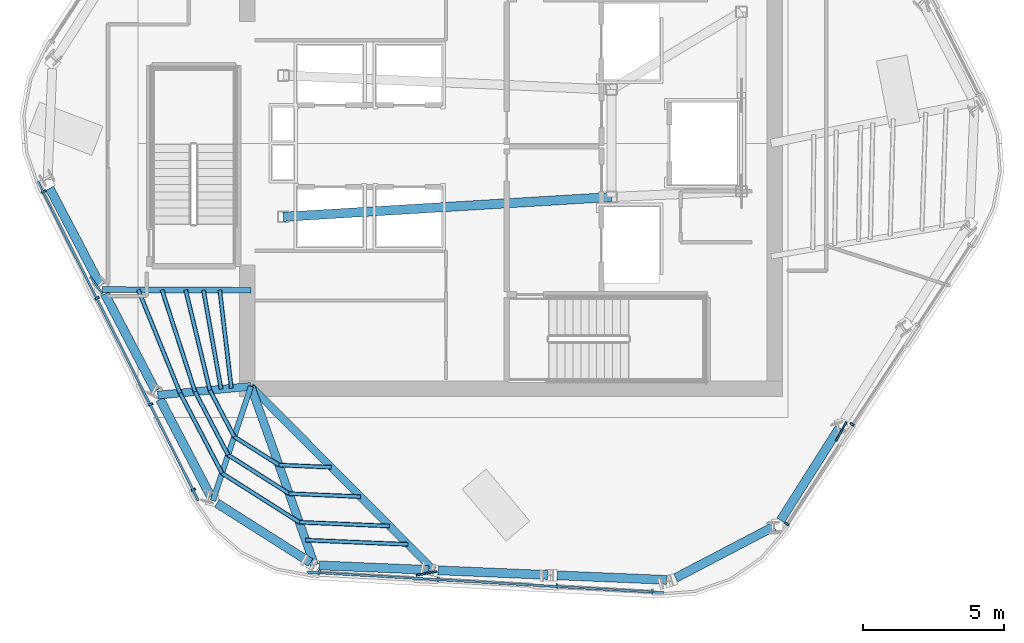
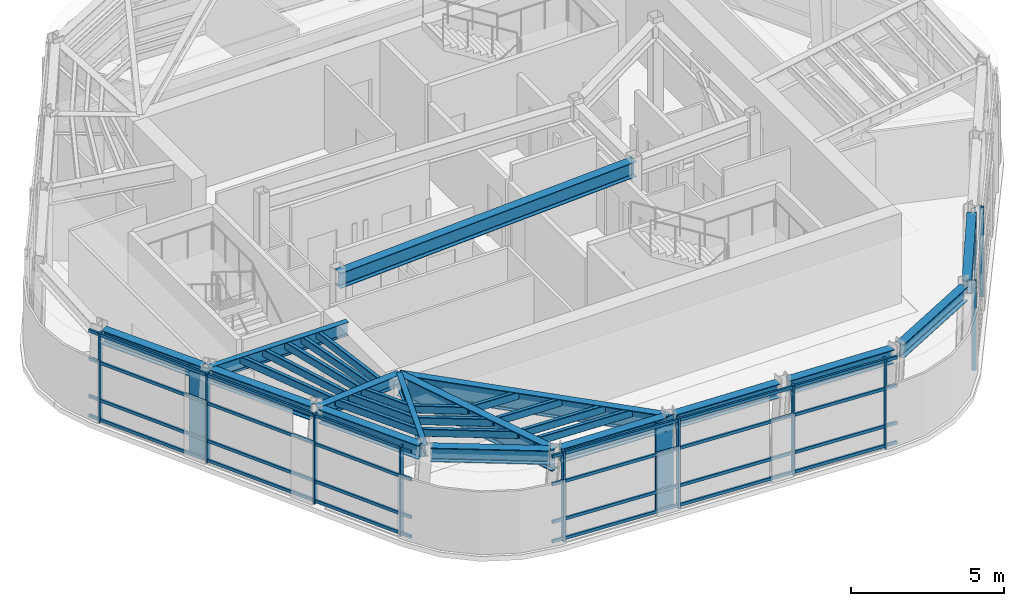
# One storey, part 2 of 13: 36 members, 15 beams, 3 elements without a shape of their own.
"""IFC4 building model written with IfcOpenShell, lengths in metres."""

from ifc_helpers import new_model, si_unit, direction, frame, origin, origin_2d, place, context, subcontext, project, spatial, rectangle, hollow_rectangle, i_section, extrude, material, layer, layer_set, material_profile, profile_set, type_object, element, aggregate, save


model = new_model("IFC4")

# Units and contexts
model_context = context("Model", 3, precision=1e-05, world=origin(), true_north=direction((0.0, 1.0)))
body_context = subcontext(model_context, "Body", "Model", "MODEL_VIEW")
ifc_project = project(units=[si_unit("LENGTHUNIT", "METRE"), si_unit("AREAUNIT", "SQUARE_METRE"), si_unit("VOLUMEUNIT", "CUBIC_METRE"), si_unit("PLANEANGLEUNIT", "RADIAN"), si_unit("MASSUNIT", "GRAM", prefix="KILO")], contexts=[model_context])

# Site, building, storey
site_placement = place(None, origin())
site = spatial("IfcSite", under=ifc_project, at=site_placement, CompositionType="ELEMENT")
building_placement = place(site_placement, origin())
building = spatial("IfcBuilding", under=site, at=building_placement, Name="Valkerne Bourse Tower", CompositionType="ELEMENT")
storey_placement = place(building_placement, frame((0.0, 0.0, 269.800048828125)))
storey = spatial("IfcBuildingStorey", under=building, at=storey_placement, Name="L68", CompositionType="ELEMENT", Elevation=269.800048828125)

# Beams
ifc_material_1 = material(Name="Steel ASTM A992", Category="steel")
ifc_material_profile_1 = material_profile(ifc_material_1, i_section(OverallWidth=0.1904296875, OverallDepth=0.457275390625, WebThickness=0.009033203125, FlangeThickness=0.014404296875, FilletRadius=0.01513671875, at=origin_2d()), Name="W18X50")
ifc_profile_set_1 = profile_set([ifc_material_profile_1], Name="Steel ASTM A992")
beam_type_1 = type_object("IfcBeamType", Name="BM-W18X50", PredefinedType="JOIST", material=ifc_profile_set_1)
beam_1_placement = place(storey_placement, frame((36.2578125, 14.359375, 3.371337890625), z_axis=(0.315264263651, 0.949003922049, 0.0), x_axis=(-0.949003922049, 0.315264263651, 0.0)))
element("IfcBeam", 1, at=beam_1_placement, inside=storey, type_object=beam_type_1, Name="L68 Radial Composite Floor Beam 11", PredefinedType="JOIST", context=body_context, shape_type="SweptSolid", body=[
    extrude(i_section(OverallWidth=0.1904296875, OverallDepth=0.457275390625, WebThickness=0.009033203125, FlangeThickness=0.014404296875, FilletRadius=0.01513671875, at=origin_2d()), origin(), (0.0, 0.0, 1.0), 4.257568359375),
])
ifc_material_profile_2 = material_profile(ifc_material_1, i_section(OverallWidth=0.279296875, OverallDepth=0.46240234375, WebThickness=0.0107421875, FlangeThickness=0.017333984375, FilletRadius=0.017822265625, at=origin_2d()), Name="W18X76")
ifc_profile_set_2 = profile_set([ifc_material_profile_2], Name="Steel ASTM A992")
beam_type_2 = type_object("IfcBeamType", Name="BM-W18X76", PredefinedType="BEAM", material=ifc_profile_set_2)
beam_2_placement = place(storey_placement, frame((34.306396484375, 18.092041015625, 3.36865234375), z_axis=(0.995660121854, 0.093064073357, 0.0), x_axis=(-0.093064073357, 0.995660121854, 0.0)))
element("IfcBeam", 2, at=beam_2_placement, inside=storey, type_object=beam_type_2, Name="L68 Radial Composite Floor Beam 10", PredefinedType="BEAM", context=body_context, shape_type="SweptSolid", body=[
    extrude(i_section(OverallWidth=0.279296875, OverallDepth=0.46240234375, WebThickness=0.0107421875, FlangeThickness=0.017333984375, FilletRadius=0.017822265625, at=origin_2d()), origin(), (0.0, 0.0, 1.0), 3.30810546875),
])
ifc_material_profile_3 = material_profile(ifc_material_1, i_section(OverallWidth=0.31494140625, OverallDepth=0.5537109375, WebThickness=0.0166015625, FlangeThickness=0.026123046875, FilletRadius=0.020263671875, at=origin_2d()), Name="W21X132")
ifc_profile_set_3 = profile_set([ifc_material_profile_3], Name="Steel ASTM A992")
beam_type_3 = type_object("IfcBeamType", Name="BM-W21X132", PredefinedType="BEAM", material=ifc_profile_set_3)
for number, where, z_axis, x_axis, name in (
    (3, (30.482421875, 25.40673828125, 3.322998046875), (0.463332995113, -0.886184256032, 0.0), (0.886184256032, 0.463332995113, 0.0), "L68 Hexagonal Spandrel Ring Beam 08"),
    (4, (32.433837890625, 21.674072265625, 3.322998046875), (0.463332995113, -0.886184256032, 0.0), (0.886184256032, 0.463332995113, 0.0), "L68 Hexagonal Spandrel Ring Beam 09"),
):
    element("IfcBeam", number, at=place(storey_placement, frame(where, z_axis=z_axis, x_axis=x_axis)), inside=storey, type_object=beam_type_3, Name=name, PredefinedType="BEAM", context=body_context, shape_type="SweptSolid", body=[
        extrude(i_section(OverallWidth=0.31494140625, OverallDepth=0.5537109375, WebThickness=0.0166015625, FlangeThickness=0.026123046875, FilletRadius=0.020263671875, at=origin_2d()), origin(), (0.0, 0.0, 1.0), 3.871826171875),
    ])
beam_3_placement = place(storey_placement, frame((34.38525390625, 17.94140625, 3.322998046875), z_axis=(0.463307105809, -0.886197791527, 0.0), x_axis=(0.886197791527, 0.463307105809, 0.0)))
element("IfcBeam", 5, at=beam_3_placement, inside=storey, type_object=beam_type_3, Name="L68 Hexagonal Spandrel Ring Beam 10", PredefinedType="BEAM", context=body_context, shape_type="SweptSolid", body=[
    extrude(i_section(OverallWidth=0.31494140625, OverallDepth=0.5537109375, WebThickness=0.0166015625, FlangeThickness=0.026123046875, FilletRadius=0.020263671875, at=origin_2d()), origin(), (0.0, 0.0, 1.0), 3.8720703125),
])
beam_4_placement = place(storey_placement, frame((36.4013671875, 14.268310546875, 3.322998046875), z_axis=(0.844356542503, -0.535781699138, 0.0), x_axis=(0.535781699138, 0.844356542503, 0.0)))
element("IfcBeam", 6, at=beam_4_placement, inside=storey, type_object=beam_type_3, Name="L68 Hexagonal Spandrel Ring Beam 11", PredefinedType="BEAM", context=body_context, shape_type="SweptSolid", body=[
    extrude(i_section(OverallWidth=0.31494140625, OverallDepth=0.5537109375, WebThickness=0.0166015625, FlangeThickness=0.026123046875, FilletRadius=0.020263671875, at=origin_2d()), origin(), (0.0, 0.0, 1.0), 3.91552734375),
])
beam_5_placement = place(storey_placement, frame((40.02099609375, 12.072021484375, 3.322998046875), z_axis=(0.99912309987, -0.041869216681, 0.0), x_axis=(0.041869216681, 0.99912309987, 0.0)))
element("IfcBeam", 7, at=beam_5_placement, inside=storey, type_object=beam_type_3, Name="L68 Hexagonal Spandrel Ring Beam 12", PredefinedType="BEAM", context=body_context, shape_type="SweptSolid", body=[
    extrude(i_section(OverallWidth=0.31494140625, OverallDepth=0.5537109375, WebThickness=0.0166015625, FlangeThickness=0.026123046875, FilletRadius=0.020263671875, at=origin_2d()), origin(), (0.0, 0.0, 1.0), 3.871826171875),
])
for number, where, z_axis, x_axis, name in (
    (8, (44.229248046875, 11.895751953125, 3.322998046875), (0.999120570963, -0.041929520364, 0.0), (0.041929520364, 0.999120570963, 0.0), "L68 Hexagonal Spandrel Ring Beam 13"),
    (9, (48.4375, 11.71923828125, 3.322998046875), (0.999123210399, -0.041866579055, 0.0), (0.041866579055, 0.999123210399, 0.0), "L68 Hexagonal Spandrel Ring Beam 14"),
):
    element("IfcBeam", number, at=place(storey_placement, frame(where, z_axis=z_axis, x_axis=x_axis)), inside=storey, type_object=beam_type_3, Name=name, PredefinedType="BEAM", context=body_context, shape_type="SweptSolid", body=[
        extrude(i_section(OverallWidth=0.31494140625, OverallDepth=0.5537109375, WebThickness=0.0166015625, FlangeThickness=0.026123046875, FilletRadius=0.020263671875, at=origin_2d()), origin(), (0.0, 0.0, 1.0), 3.8720703125),
    ])
beam_6_placement = place(storey_placement, frame((52.626708984375, 11.62890625, 3.322998046875), z_axis=(0.886213226144, 0.463277581809, 0.0), x_axis=(-0.463277581809, 0.886213226144, 0.0)))
element("IfcBeam", 10, at=beam_6_placement, inside=storey, type_object=beam_type_3, Name="L68 Hexagonal Spandrel Ring Beam 15", PredefinedType="BEAM", context=body_context, shape_type="SweptSolid", body=[
    extrude(i_section(OverallWidth=0.31494140625, OverallDepth=0.5537109375, WebThickness=0.0166015625, FlangeThickness=0.026123046875, FilletRadius=0.020263671875, at=origin_2d()), origin(), (0.0, 0.0, 1.0), 3.91552734375),
])
beam_7_placement = place(storey_placement, frame((56.33837890625, 13.6650390625, 3.322998046875), z_axis=(0.535789864595, 0.844351361103, 0.0), x_axis=(-0.844351361103, 0.535789864595, 0.0)))
element("IfcBeam", 11, at=beam_7_placement, inside=storey, type_object=beam_type_3, Name="L68 Hexagonal Spandrel Ring Beam 16", PredefinedType="BEAM", context=body_context, shape_type="SweptSolid", body=[
    extrude(i_section(OverallWidth=0.31494140625, OverallDepth=0.5537109375, WebThickness=0.0166015625, FlangeThickness=0.026123046875, FilletRadius=0.020263671875, at=origin_2d()), origin(), (0.0, 0.0, 1.0), 3.872314453125),
])
ifc_material_profile_4 = material_profile(ifc_material_1, i_section(OverallWidth=0.209228515625, OverallDepth=0.533447265625, WebThickness=0.01025390625, FlangeThickness=0.015625, FilletRadius=0.017822265625, at=origin_2d()), Name="W21X62")
ifc_profile_set_4 = profile_set([ifc_material_profile_4], Name="Steel ASTM A992")
beam_type_4 = type_object("IfcBeamType", Name="BM-W21X62", PredefinedType="JOIST", material=ifc_profile_set_4)
beam_8_placement = place(storey_placement, frame((32.35498046875, 21.82470703125, 3.333251953125), z_axis=(0.99998894967, -0.004701121016, 0.0), x_axis=(0.004701121016, 0.99998894967, 0.0)))
element("IfcBeam", 12, at=beam_8_placement, inside=storey, type_object=beam_type_4, Name="L68 Radial Composite Floor Beam 09", PredefinedType="JOIST", context=body_context, shape_type="SweptSolid", body=[
    extrude(i_section(OverallWidth=0.209228515625, OverallDepth=0.533447265625, WebThickness=0.01025390625, FlangeThickness=0.015625, FilletRadius=0.017822265625, at=origin_2d()), origin(), (0.0, 0.0, 1.0), 5.2451171875),
])
ifc_material_profile_5 = material_profile(ifc_material_1, i_section(OverallWidth=0.3251953125, OverallDepth=0.612060546875, WebThickness=0.0126953125, FlangeThickness=0.01904296875, FilletRadius=0.020263671875, at=origin_2d()), Name="W24X104")
ifc_profile_set_5 = profile_set([ifc_material_profile_5], Name="Steel ASTM A992")
beam_type_5 = type_object("IfcBeamType", Name="BM-W24X104", PredefinedType="BEAM", material=ifc_profile_set_5)
beam_9_placement = place(storey_placement, frame((38.75, 24.39990234375, 3.2939453125), z_axis=(0.998183228389, 0.060251494276, 0.0), x_axis=(-0.060251494276, 0.998183228389, 0.0)))
element("IfcBeam", 13, at=beam_9_placement, inside=storey, type_object=beam_type_5, Name="L68 Core Frame Girder CG-SW", PredefinedType="BEAM", context=body_context, shape_type="SweptSolid", body=[
    extrude(i_section(OverallWidth=0.3251953125, OverallDepth=0.612060546875, WebThickness=0.0126953125, FlangeThickness=0.01904296875, FilletRadius=0.020263671875, at=origin_2d()), origin(), (0.0, 0.0, 1.0), 11.62109375),
])
ifc_material_profile_6 = material_profile(ifc_material_1, i_section(OverallWidth=0.26806640625, OverallDepth=0.76953125, WebThickness=0.015625, FlangeThickness=0.025390625, FilletRadius=0.025390625, at=origin_2d()), Name="W30X132")
ifc_profile_set_6 = profile_set([ifc_material_profile_6], Name="Steel ASTM A992")
beam_type_6 = type_object("IfcBeamType", Name="BM-W30X132", PredefinedType="BEAM", material=ifc_profile_set_6)
beam_10_placement = place(storey_placement, frame((44.059326171875, 11.90283203125, 3.215087890625), z_axis=(-0.705038508926, 0.709169021413, 0.0), x_axis=(-0.709169021413, -0.705038508926, 0.0)))
element("IfcBeam", 14, at=beam_10_placement, inside=storey, type_object=beam_type_6, Name="L68 Radial Composite Floor Beam 13", PredefinedType="BEAM", context=body_context, shape_type="SweptSolid", body=[
    extrude(i_section(OverallWidth=0.26806640625, OverallDepth=0.76953125, WebThickness=0.015625, FlangeThickness=0.025390625, FilletRadius=0.025390625, at=origin_2d()), origin(), (0.0, 0.0, 1.0), 9.16162109375),
])
ifc_material_profile_7 = material_profile(ifc_material_1, i_section(OverallWidth=0.2919921875, OverallDepth=0.8583984375, WebThickness=0.01708984375, FlangeThickness=0.031005859375, FilletRadius=0.025390625, at=origin_2d()), Name="W33X169")
ifc_profile_set_7 = profile_set([ifc_material_profile_7], Name="Steel ASTM A992")
beam_type_7 = type_object("IfcBeamType", Name="BM-W33X169", PredefinedType="BEAM", material=ifc_profile_set_7)
beam_11_placement = place(storey_placement, frame((39.85107421875, 12.0791015625, 3.170654296875), z_axis=(-0.335483399362, 0.942046118166, 0.0), x_axis=(-0.942046118166, -0.335483399362, 0.0)))
element("IfcBeam", 15, at=beam_11_placement, inside=storey, type_object=beam_type_7, Name="L68 Radial Composite Floor Beam 12", PredefinedType="BEAM", context=body_context, shape_type="SweptSolid", body=[
    extrude(i_section(OverallWidth=0.2919921875, OverallDepth=0.8583984375, WebThickness=0.01708984375, FlangeThickness=0.031005859375, FilletRadius=0.025390625, at=origin_2d()), origin(), (0.0, 0.0, 1.0), 6.709716796875),
])

# Curtain wall, members
ifc_material_2 = material(Name="Aluminium AA 6063-T6", Category="aluminium")
ifc_layer = layer(ifc_material_2, 0.2451171875)
ifc_layer_set = layer_set([ifc_layer], Name="Aluminium AA 6063-T6")
curtain_wall_type = type_object("IfcCurtainWallType", Name="CW-05", PredefinedType="NOTDEFINED", material=ifc_layer_set)
curtain_wall_1_placement = place(storey_placement, origin())
curtain_wall_1 = element("IfcCurtainWall", 16, at=curtain_wall_1_placement, inside=storey, type_object=curtain_wall_type, Name="L68 Hexagonal Stick Curtain Wall Face 3", PredefinedType="NOTDEFINED")
ifc_material_profile_8 = material_profile(ifc_material_2, rectangle(XDim=0.074951171875, YDim=0.159912109375, at=origin_2d()), Name="CWM-75X160")
ifc_profile_set_8 = profile_set([ifc_material_profile_8], Name="Aluminium AA 6063-T6")
member_type_1 = type_object("IfcMemberType", Name="CW-MUL-160X75", PredefinedType="MULLION", material=ifc_profile_set_8)
member_1_placement = place(storey_placement, frame((30.26806640625, 25.287109375, 0.0), z_axis=(0.0, 0.0, 1.0), x_axis=(0.449320658225, -0.893370553629, 0.0)))
member_1 = element("IfcMember", 17, at=member_1_placement, type_object=member_type_1, Name="CW-L68-F3 Jamb Mullion 00A", PredefinedType="MULLION", context=body_context, shape_type="SweptSolid", body=[
    extrude(rectangle(XDim=0.074951171875, YDim=0.159912109375, at=origin_2d()), origin(), (0.0, 0.0, 1.0), 3.599853515625),
])
member_2_placement = place(storey_placement, frame((32.16064453125, 21.5244140625, 0.0), z_axis=(0.0, 0.0, 1.0), x_axis=(0.449311128056, -0.893375346764, 0.0)))
member_2 = element("IfcMember", 18, at=member_2_placement, type_object=member_type_1, Name="CW-L68-F3 Jamb Mullion 01A", PredefinedType="MULLION", context=body_context, shape_type="SweptSolid", body=[
    extrude(rectangle(XDim=0.074951171875, YDim=0.159912109375, at=origin_2d()), origin(), (0.0, 0.0, 1.0), 3.599853515625),
])
member_3_placement = place(storey_placement, frame((34.052978515625, 17.761474609375, 0.0), z_axis=(0.0, 0.0, 1.0), x_axis=(0.449330076439, -0.893365816677, 0.0)))
member_3 = element("IfcMember", 19, at=member_3_placement, type_object=member_type_1, Name="CW-L68-F3 Jamb Mullion 02A", PredefinedType="MULLION", context=body_context, shape_type="SweptSolid", body=[
    extrude(rectangle(XDim=0.074951171875, YDim=0.159912109375, at=origin_2d()), origin(), (0.0, 0.0, 1.0), 3.599853515625),
])
member_4_placement = place(storey_placement, frame((35.568115234375, 14.7490234375, 0.0), z_axis=(0.0, 0.0, 1.0), x_axis=(0.449330076439, -0.893365816677, 0.0)))
member_4 = element("IfcMember", 20, at=member_4_placement, type_object=member_type_1, Name="CW-L68-F3 Jamb Mullion 02B", PredefinedType="MULLION", context=body_context, shape_type="SweptSolid", body=[
    extrude(rectangle(XDim=0.074951171875, YDim=0.159912109375, at=origin_2d()), origin(), (0.0, 0.0, 1.0), 3.599853515625),
])

curtain_wall_2_placement = place(storey_placement, origin())
curtain_wall_2 = element("IfcCurtainWall", 21, at=curtain_wall_2_placement, inside=storey, type_object=curtain_wall_type, Name="L68 Hexagonal Stick Curtain Wall Face 4", PredefinedType="NOTDEFINED")
member_5_placement = place(storey_placement, frame((40.017333984375, 11.826416015625, 0.0), z_axis=(0.0, 0.0, 1.0), x_axis=(0.99834261844, -0.05755011908, 0.0)))
member_5 = element("IfcMember", 22, at=member_5_placement, type_object=member_type_1, Name="CW-L68-F4 Jamb Mullion 00A", PredefinedType="MULLION", context=body_context, shape_type="SweptSolid", body=[
    extrude(rectangle(XDim=0.074951171875, YDim=0.159912109375, at=origin_2d()), origin(), (0.0, 0.0, 1.0), 3.599853515625),
])
member_6_placement = place(storey_placement, frame((44.222412109375, 11.583984375, 0.0), z_axis=(0.0, 0.0, 1.0), x_axis=(0.998341254083, -0.057573782189, 0.0)))
member_6 = element("IfcMember", 23, at=member_6_placement, type_object=member_type_1, Name="CW-L68-F4 Jamb Mullion 01A", PredefinedType="MULLION", context=body_context, shape_type="SweptSolid", body=[
    extrude(rectangle(XDim=0.074951171875, YDim=0.159912109375, at=origin_2d()), origin(), (0.0, 0.0, 1.0), 3.599853515625),
])
member_7_placement = place(storey_placement, frame((48.42724609375, 11.341552734375, 0.0), z_axis=(0.0, 0.0, 1.0), x_axis=(0.99834261844, -0.05755011908, 0.0)))
member_7 = element("IfcMember", 24, at=member_7_placement, type_object=member_type_1, Name="CW-L68-F4 Jamb Mullion 02A", PredefinedType="MULLION", context=body_context, shape_type="SweptSolid", body=[
    extrude(rectangle(XDim=0.074951171875, YDim=0.159912109375, at=origin_2d()), origin(), (0.0, 0.0, 1.0), 3.599853515625),
])
member_8_placement = place(storey_placement, frame((51.793701171875, 11.1474609375, 0.0), z_axis=(0.0, 0.0, 1.0), x_axis=(0.99834261844, -0.05755011908, 0.0)))
member_8 = element("IfcMember", 25, at=member_8_placement, type_object=member_type_1, Name="CW-L68-F4 Jamb Mullion 02B", PredefinedType="MULLION", context=body_context, shape_type="SweptSolid", body=[
    extrude(rectangle(XDim=0.074951171875, YDim=0.159912109375, at=origin_2d()), origin(), (0.0, 0.0, 1.0), 3.599853515625),
])

curtain_wall_3_placement = place(storey_placement, origin())
curtain_wall_3 = element("IfcCurtainWall", 26, at=curtain_wall_3_placement, inside=storey, type_object=curtain_wall_type, Name="L68 Hexagonal Stick Curtain Wall Face 5", PredefinedType="NOTDEFINED")
member_9_placement = place(storey_placement, frame((56.54931640625, 13.539306640625, 0.0), z_axis=(0.0, 0.0, 1.0), x_axis=(0.549027698442, 0.835804155495, 0.0)))
member_9 = element("IfcMember", 27, at=member_9_placement, type_object=member_type_1, Name="CW-L68-F5 Jamb Mullion 00A", PredefinedType="MULLION", context=body_context, shape_type="SweptSolid", body=[
    extrude(rectangle(XDim=0.074951171875, YDim=0.159912109375, at=origin_2d()), origin(), (0.0, 0.0, 1.0), 3.599853515625),
])
member_10_placement = place(storey_placement, frame((58.86181640625, 17.059814453125, 0.0), z_axis=(0.0, 0.0, 1.0), x_axis=(0.549016804002, 0.835811311795, 0.0)))
member_10 = element("IfcMember", 28, at=member_10_placement, type_object=member_type_1, Name="CW-L68-F5 Jamb Mullion 01A", PredefinedType="MULLION", context=body_context, shape_type="SweptSolid", body=[
    extrude(rectangle(XDim=0.074951171875, YDim=0.159912109375, at=origin_2d()), origin(), (0.0, 0.0, 1.0), 3.599853515625),
])
aggregate(curtain_wall_3, [member_9, member_10])

# Member
ifc_material_profile_9 = material_profile(ifc_material_2, rectangle(XDim=0.074951171875, YDim=0.1201171875, at=origin_2d()), Name="CWT-75X120")
ifc_profile_set_9 = profile_set([ifc_material_profile_9], Name="Aluminium AA 6063-T6")
member_type_2 = type_object("IfcMemberType", Name="CW-TRN-120X75", PredefinedType="USERDEFINED", material=ifc_profile_set_9)
member_11_placement = place(storey_placement, frame((30.0615234375, 25.6533203125, 0.119873046875), z_axis=(0.449314506909, -0.893373647407, 0.0), x_axis=(0.893373647407, 0.449314506909, 0.0)))
member_11 = element("IfcMember", 29, at=member_11_placement, type_object=member_type_2, Name="CW-L68-F3 Continuous Face Transom 1", ObjectType="TRANSOM", PredefinedType="USERDEFINED", context=body_context, shape_type="SweptSolid", body=[
    extrude(rectangle(XDim=0.074951171875, YDim=0.1201171875, at=origin_2d()), origin(), (0.0, 0.0, 1.0), 12.635986328125),
])

member_12_placement = place(storey_placement, frame((30.0615234375, 25.6533203125, 0.89990234375), z_axis=(0.449314506909, -0.893373647407, 0.0), x_axis=(0.893373647407, 0.449314506909, 0.0)))
member_12 = element("IfcMember", 30, at=member_12_placement, type_object=member_type_2, Name="CW-L68-F3 Continuous Face Transom 2", ObjectType="TRANSOM", PredefinedType="USERDEFINED", context=body_context, shape_type="SweptSolid", body=[
    extrude(rectangle(XDim=0.074951171875, YDim=0.1201171875, at=origin_2d()), origin(), (0.0, 0.0, 1.0), 12.635986328125),
])

member_13_placement = place(storey_placement, frame((30.0615234375, 25.6533203125, 2.39990234375), z_axis=(0.449314506909, -0.893373647407, 0.0), x_axis=(0.893373647407, 0.449314506909, 0.0)))
member_13 = element("IfcMember", 31, at=member_13_placement, type_object=member_type_2, Name="CW-L68-F3 Continuous Face Transom 3", ObjectType="TRANSOM", PredefinedType="USERDEFINED", context=body_context, shape_type="SweptSolid", body=[
    extrude(rectangle(XDim=0.074951171875, YDim=0.1201171875, at=origin_2d()), origin(), (0.0, 0.0, 1.0), 12.635986328125),
])

member_14_placement = place(storey_placement, frame((30.0615234375, 25.6533203125, 3.52001953125), z_axis=(0.449314506909, -0.893373647407, 0.0), x_axis=(0.893373647407, 0.449314506909, 0.0)))
member_14 = element("IfcMember", 32, at=member_14_placement, type_object=member_type_2, Name="CW-L68-F3 Continuous Face Transom 4", ObjectType="TRANSOM", PredefinedType="USERDEFINED", context=body_context, shape_type="SweptSolid", body=[
    extrude(rectangle(XDim=0.074951171875, YDim=0.1201171875, at=origin_2d()), origin(), (0.0, 0.0, 1.0), 12.635986328125),
])

aggregate(curtain_wall_1, [member_11, member_12, member_13, member_14, member_1, member_2, member_3, member_4])

member_15_placement = place(storey_placement, frame((39.596923828125, 11.830810546875, 0.119873046875), z_axis=(0.998342184249, -0.057557650653, 0.0), x_axis=(0.057557650653, 0.998342184249, 0.0)))
member_15 = element("IfcMember", 33, at=member_15_placement, type_object=member_type_2, Name="CW-L68-F4 Continuous Face Transom 1", ObjectType="TRANSOM", PredefinedType="USERDEFINED", context=body_context, shape_type="SweptSolid", body=[
    extrude(rectangle(XDim=0.074951171875, YDim=0.1201171875, at=origin_2d()), origin(), (0.0, 0.0, 1.0), 12.635986328125),
])

member_16_placement = place(storey_placement, frame((39.596923828125, 11.830810546875, 0.89990234375), z_axis=(0.998342184249, -0.057557650653, 0.0), x_axis=(0.057557650653, 0.998342184249, 0.0)))
member_16 = element("IfcMember", 34, at=member_16_placement, type_object=member_type_2, Name="CW-L68-F4 Continuous Face Transom 2", ObjectType="TRANSOM", PredefinedType="USERDEFINED", context=body_context, shape_type="SweptSolid", body=[
    extrude(rectangle(XDim=0.074951171875, YDim=0.1201171875, at=origin_2d()), origin(), (0.0, 0.0, 1.0), 12.635986328125),
])

member_17_placement = place(storey_placement, frame((39.596923828125, 11.830810546875, 2.39990234375), z_axis=(0.998342184249, -0.057557650653, 0.0), x_axis=(0.057557650653, 0.998342184249, 0.0)))
member_17 = element("IfcMember", 35, at=member_17_placement, type_object=member_type_2, Name="CW-L68-F4 Continuous Face Transom 3", ObjectType="TRANSOM", PredefinedType="USERDEFINED", context=body_context, shape_type="SweptSolid", body=[
    extrude(rectangle(XDim=0.074951171875, YDim=0.1201171875, at=origin_2d()), origin(), (0.0, 0.0, 1.0), 12.635986328125),
])

member_18_placement = place(storey_placement, frame((39.596923828125, 11.830810546875, 3.52001953125), z_axis=(0.998342184249, -0.057557650653, 0.0), x_axis=(0.057557650653, 0.998342184249, 0.0)))
member_18 = element("IfcMember", 36, at=member_18_placement, type_object=member_type_2, Name="CW-L68-F4 Continuous Face Transom 4", ObjectType="TRANSOM", PredefinedType="USERDEFINED", context=body_context, shape_type="SweptSolid", body=[
    extrude(rectangle(XDim=0.074951171875, YDim=0.1201171875, at=origin_2d()), origin(), (0.0, 0.0, 1.0), 12.635986328125),
])

aggregate(curtain_wall_2, [member_15, member_16, member_17, member_18, member_5, member_6, member_7, member_8])

# Members
ifc_material_3 = material(Name="Bronze Anodised Aluminium AA 6063-T6", Category="aluminium")
ifc_material_profile_10 = material_profile(ifc_material_3, rectangle(XDim=0.06494140625, YDim=0.75, at=origin_2d()), Name="FIN-65X750")
ifc_profile_set_10 = profile_set([ifc_material_profile_10], Name="Bronze Anodised Aluminium AA 6063-T6")
member_type_3 = type_object("IfcMemberType", Name="FIN-SOLAR-650", PredefinedType="USERDEFINED", material=ifc_profile_set_10)
for number, where, z_axis, x_axis, name in (
    (37, (32.1328125, 21.98046875, 0.00390625), (0.0, 0.0, 1.0), (-0.814593661369, -0.580032039509, 0.0), "L68 Bronze Anodised Solar Fin F3-01"),
    (38, (43.8134765625, 11.7880859375, 0.00390625), (0.0, 0.0, 1.0), (0.18289404351, -0.983132630345, 0.0), "L68 Bronze Anodised Solar Fin F4-01"),
    (39, (58.480712890625, 16.8076171875, 0.00390625), (0.0, 0.0, 1.0), (0.881186603615, -0.472768621642, 0.0), "L68 Bronze Anodised Solar Fin F5-01"),
):
    element("IfcMember", number, at=place(storey_placement, frame(where, z_axis=z_axis, x_axis=x_axis)), inside=storey, type_object=member_type_3, Name=name, ObjectType="SOLAR_FIN", PredefinedType="USERDEFINED", context=body_context, shape_type="SweptSolid", body=[
        extrude(rectangle(XDim=0.06494140625, YDim=0.75, at=origin_2d()), origin(), (0.0, 0.0, 1.0), 3.592041015625),
    ])
ifc_material_4 = material(Name="Steel ASTM A500 Grade C", Category="steel")
ifc_material_profile_11 = material_profile(ifc_material_4, hollow_rectangle(XDim=0.14990234375, YDim=0.300048828125, WallThickness=0.012451171875, OuterFilletRadius=0.02490234375, at=origin_2d()), Name="HSS300X150X12.5")
ifc_profile_set_11 = profile_set([ifc_material_profile_11], Name="Steel ASTM A500 Grade C")
member_type_4 = type_object("IfcMemberType", Name="MBR-HSS300X150X12.5", PredefinedType="PURLIN", material=ifc_profile_set_11)
member_19_placement = place(storey_placement, frame((35.921630859375, 21.807861328125, 3.43994140625), z_axis=(0.175349328854, -0.984506278736, 0.0), x_axis=(0.984506278736, 0.175349328854, 0.0)))
element("IfcMember", 40, at=member_19_placement, inside=storey, type_object=member_type_4, Name="L68 Secondary Composite Floor Purlin I-09", PredefinedType="PURLIN", context=body_context, shape_type="SweptSolid", body=[
    extrude(hollow_rectangle(XDim=0.14990234375, YDim=0.300048828125, WallThickness=0.012451171875, OuterFilletRadius=0.02490234375, at=origin_2d()), origin(), (0.0, 0.0, 1.0), 3.5615234375),
])
member_20_placement = place(storey_placement, frame((35.292236328125, 21.810791015625, 3.43994140625), z_axis=(0.235318511012, -0.971918308489, 0.0), x_axis=(0.971918308489, 0.235318511012, 0.0)))
element("IfcMember", 41, at=member_20_placement, inside=storey, type_object=member_type_4, Name="L68 Secondary Composite Floor Purlin K-09", PredefinedType="PURLIN", context=body_context, shape_type="SweptSolid", body=[
    extrude(hollow_rectangle(XDim=0.14990234375, YDim=0.300048828125, WallThickness=0.012451171875, OuterFilletRadius=0.02490234375, at=origin_2d()), origin(), (0.0, 0.0, 1.0), 3.64892578125),
])
member_21_placement = place(storey_placement, frame((36.15087890625, 18.264404296875, 3.43994140625), z_axis=(0.463317698259, -0.886192253679, 0.0), x_axis=(0.886192253679, 0.463317698259, 0.0)))
element("IfcMember", 42, at=member_21_placement, inside=storey, type_object=member_type_4, Name="L68 Secondary Composite Floor Purlin K-10", PredefinedType="PURLIN", context=body_context, shape_type="SweptSolid", body=[
    extrude(hollow_rectangle(XDim=0.14990234375, YDim=0.300048828125, WallThickness=0.012451171875, OuterFilletRadius=0.02490234375, at=origin_2d()), origin(), (0.0, 0.0, 1.0), 1.853271484375),
])
member_22_placement = place(storey_placement, frame((37.009521484375, 16.6220703125, 3.43994140625), z_axis=(0.844374792455, -0.535752937338, 0.0), x_axis=(0.535752937338, 0.844374792455, 0.0)))
element("IfcMember", 43, at=member_22_placement, inside=storey, type_object=member_type_4, Name="L68 Secondary Composite Floor Purlin K-11", PredefinedType="PURLIN", context=body_context, shape_type="SweptSolid", body=[
    extrude(hollow_rectangle(XDim=0.14990234375, YDim=0.300048828125, WallThickness=0.012451171875, OuterFilletRadius=0.02490234375, at=origin_2d()), origin(), (0.0, 0.0, 1.0), 1.87255859375),
])
member_23_placement = place(storey_placement, frame((38.590576171875, 15.618896484375, 3.43994140625), z_axis=(0.9991220791, -0.04189356819, 0.0), x_axis=(0.04189356819, 0.9991220791, 0.0)))
element("IfcMember", 44, at=member_23_placement, inside=storey, type_object=member_type_4, Name="L68 Secondary Composite Floor Purlin K-12", PredefinedType="PURLIN", context=body_context, shape_type="SweptSolid", body=[
    extrude(hollow_rectangle(XDim=0.14990234375, YDim=0.300048828125, WallThickness=0.012451171875, OuterFilletRadius=0.02490234375, at=origin_2d()), origin(), (0.0, 0.0, 1.0), 1.853271484375),
])
member_24_placement = place(storey_placement, frame((33.614013671875, 21.81884765625, 3.43994140625), z_axis=(0.376147804954, -0.926559673647, 0.0), x_axis=(0.926559673647, 0.376147804954, 0.0)))
element("IfcMember", 45, at=member_24_placement, inside=storey, type_object=member_type_4, Name="L68 Secondary Composite Floor Purlin O-09", PredefinedType="PURLIN", context=body_context, shape_type="SweptSolid", body=[
    extrude(hollow_rectangle(XDim=0.14990234375, YDim=0.300048828125, WallThickness=0.012451171875, OuterFilletRadius=0.02490234375, at=origin_2d()), origin(), (0.0, 0.0, 1.0), 3.9423828125),
])
member_25_placement = place(storey_placement, frame((35.096923828125, 18.166015625, 3.43994140625), z_axis=(0.463308661227, -0.886196978347, 0.0), x_axis=(0.886196978347, 0.463308661227, 0.0)))
element("IfcMember", 46, at=member_25_placement, inside=storey, type_object=member_type_4, Name="L68 Secondary Composite Floor Purlin O-10", PredefinedType="PURLIN", context=body_context, shape_type="SweptSolid", body=[
    extrude(hollow_rectangle(XDim=0.14990234375, YDim=0.300048828125, WallThickness=0.012451171875, OuterFilletRadius=0.02490234375, at=origin_2d()), origin(), (0.0, 0.0, 1.0), 3.201171875),
])
member_26_placement = place(storey_placement, frame((36.580078125, 15.3291015625, 3.43994140625), z_axis=(0.844335331018, -0.535815125576, 0.0), x_axis=(0.535815125576, 0.844335331018, 0.0)))
element("IfcMember", 47, at=member_26_placement, inside=storey, type_object=member_type_4, Name="L68 Secondary Composite Floor Purlin O-11", PredefinedType="PURLIN", context=body_context, shape_type="SweptSolid", body=[
    extrude(hollow_rectangle(XDim=0.14990234375, YDim=0.300048828125, WallThickness=0.012451171875, OuterFilletRadius=0.02490234375, at=origin_2d()), origin(), (0.0, 0.0, 1.0), 3.234130859375),
])
member_27_placement = place(storey_placement, frame((39.310791015625, 13.59619140625, 3.43994140625), z_axis=(0.999122998182, -0.041871643206, 0.0), x_axis=(0.041871643206, 0.999122998182, 0.0)))
element("IfcMember", 48, at=member_27_placement, inside=storey, type_object=member_type_4, Name="L68 Secondary Composite Floor Purlin O-12", PredefinedType="PURLIN", context=body_context, shape_type="SweptSolid", body=[
    extrude(hollow_rectangle(XDim=0.14990234375, YDim=0.300048828125, WallThickness=0.012451171875, OuterFilletRadius=0.02490234375, at=origin_2d()), origin(), (0.0, 0.0, 1.0), 3.200927734375),
])
member_28_placement = place(storey_placement, frame((34.453125, 21.81494140625, 3.43994140625), z_axis=(0.309272745254, -0.950973379776, 0.0), x_axis=(0.950973379776, 0.309272745254, 0.0)))
element("IfcMember", 49, at=member_28_placement, inside=storey, type_object=member_type_4, Name="L68 Secondary Composite Floor Purlin Z-09", PredefinedType="PURLIN", context=body_context, shape_type="SweptSolid", body=[
    extrude(hollow_rectangle(XDim=0.14990234375, YDim=0.300048828125, WallThickness=0.012451171875, OuterFilletRadius=0.02490234375, at=origin_2d()), origin(), (0.0, 0.0, 1.0), 3.78515625),
])
member_29_placement = place(storey_placement, frame((35.623779296875, 18.21533203125, 3.43994140625), z_axis=(0.463292143404, -0.88620561376, 0.0), x_axis=(0.88620561376, 0.463292143404, 0.0)))
element("IfcMember", 50, at=member_29_placement, inside=storey, type_object=member_type_4, Name="L68 Secondary Composite Floor Purlin Z-10", PredefinedType="PURLIN", context=body_context, shape_type="SweptSolid", body=[
    extrude(hollow_rectangle(XDim=0.14990234375, YDim=0.300048828125, WallThickness=0.012451171875, OuterFilletRadius=0.02490234375, at=origin_2d()), origin(), (0.0, 0.0, 1.0), 2.52734375),
])
member_30_placement = place(storey_placement, frame((36.794677734375, 15.9755859375, 3.43994140625), z_axis=(0.844341897547, -0.535804777925, 0.0), x_axis=(0.535804777925, 0.844341897547, 0.0)))
element("IfcMember", 51, at=member_30_placement, inside=storey, type_object=member_type_4, Name="L68 Secondary Composite Floor Purlin Z-11", PredefinedType="PURLIN", context=body_context, shape_type="SweptSolid", body=[
    extrude(hollow_rectangle(XDim=0.14990234375, YDim=0.300048828125, WallThickness=0.012451171875, OuterFilletRadius=0.02490234375, at=origin_2d()), origin(), (0.0, 0.0, 1.0), 2.553466796875),
])
member_31_placement = place(storey_placement, frame((38.95068359375, 14.607421875, 3.43994140625), z_axis=(0.999124681274, -0.041831462676, 0.0), x_axis=(0.041831462676, 0.999124681274, 0.0)))
element("IfcMember", 52, at=member_31_placement, inside=storey, type_object=member_type_4, Name="L68 Secondary Composite Floor Purlin Z-12", PredefinedType="PURLIN", context=body_context, shape_type="SweptSolid", body=[
    extrude(hollow_rectangle(XDim=0.14990234375, YDim=0.300048828125, WallThickness=0.012451171875, OuterFilletRadius=0.02490234375, at=origin_2d()), origin(), (0.0, 0.0, 1.0), 2.527099609375),
])
member_32_placement = place(storey_placement, frame((36.49853515625, 21.80517578125, 3.43994140625), z_axis=(0.117315554928, -0.993094688623, 0.0), x_axis=(0.993094688623, 0.117315554928, 0.0)))
element("IfcMember", 53, at=member_32_placement, inside=storey, type_object=member_type_4, Name="L68 Secondary Composite Floor Purlin S-09", PredefinedType="PURLIN", context=body_context, shape_type="SweptSolid", body=[
    extrude(hollow_rectangle(XDim=0.14990234375, YDim=0.300048828125, WallThickness=0.012451171875, OuterFilletRadius=0.02490234375, at=origin_2d()), origin(), (0.0, 0.0, 1.0), 3.494140625),
])
member_33_placement = place(storey_placement, frame((39.535888671875, 12.964111328125, 3.43994140625), z_axis=(0.999123703164, -0.04185481784, 0.0), x_axis=(0.04185481784, 0.999123703164, 0.0)))
element("IfcMember", 54, at=member_33_placement, inside=storey, type_object=member_type_4, Name="L68 Secondary Composite Floor Purlin T-12", PredefinedType="PURLIN", context=body_context, shape_type="SweptSolid", body=[
    extrude(hollow_rectangle(XDim=0.14990234375, YDim=0.300048828125, WallThickness=0.012451171875, OuterFilletRadius=0.02490234375, at=origin_2d()), origin(), (0.0, 0.0, 1.0), 3.622314453125),
])

save(model, "model.ifc")
